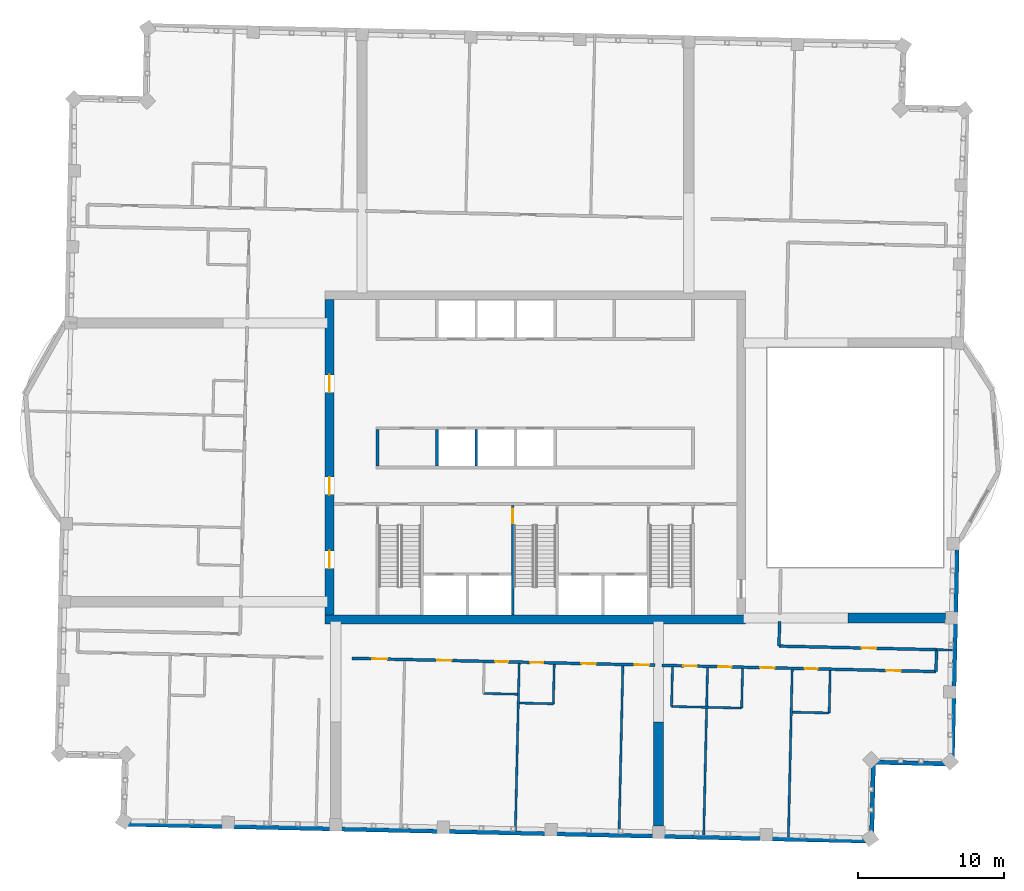
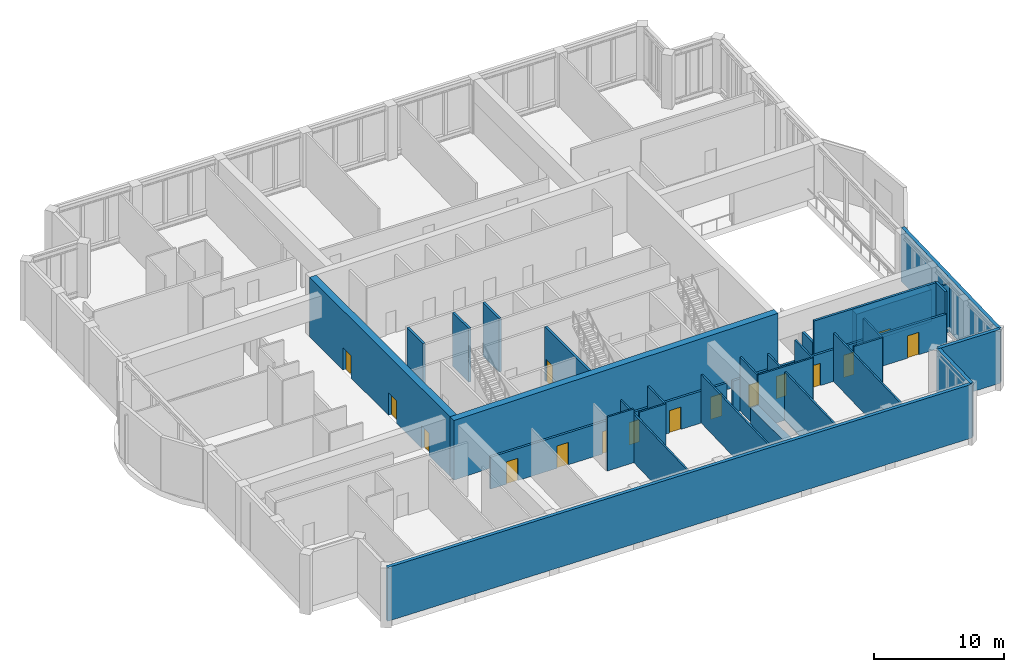
# One storey, part 10 of 16: 30 walls, 16 doors, 16 openings.
"""IFC4 building model written with IfcOpenShell, lengths in metres."""

from ifc_helpers import new_model, si_unit, direction, frame, frame_2d, origin, place, context, subcontext, project, spatial, rectangle, extrude, material, layer, layer_set, type_object, element, fill, save


model = new_model("IFC4")

# Units and contexts
model_context = context("Model", 3, precision=1e-05, world=origin(), true_north=direction((0.0, 1.0)))
body_context = subcontext(model_context, "Body", "Model", "MODEL_VIEW")
ifc_project = project(units=[si_unit("LENGTHUNIT", "METRE"), si_unit("AREAUNIT", "SQUARE_METRE"), si_unit("VOLUMEUNIT", "CUBIC_METRE"), si_unit("PLANEANGLEUNIT", "RADIAN"), si_unit("MASSUNIT", "GRAM", prefix="KILO")], contexts=[model_context])

# Site, building, storey
site_placement = place(None, origin())
site = spatial("IfcSite", under=ifc_project, at=site_placement, CompositionType="ELEMENT")
building_placement = place(site_placement, origin())
building = spatial("IfcBuilding", under=site, at=building_placement, Name="Mangrove Gate Tower", CompositionType="ELEMENT")
storey_placement = place(building_placement, frame((0.0, 0.0, 324.10009765625)))
storey = spatial("IfcBuildingStorey", under=building, at=storey_placement, Name="L83", CompositionType="ELEMENT", Elevation=324.10009765625)

# Walls
ifc_material_1 = material(Name="Concrete C32/40", Category="concrete")
ifc_layer_1 = layer(ifc_material_1, 0.199951171875)
ifc_layer_set_1 = layer_set([ifc_layer_1], Name="Core room wall 200 C32/40")
wall_type_1 = type_object("IfcWallType", Name="Core room wall 200 C32/40", PredefinedType="STANDARD", material=ifc_layer_set_1)
wall_1_placement = place(storey_placement, frame((-10.800048828125, -0.60009765625, 0.0), z_axis=(0.0, 0.0, 1.0), x_axis=(0.0, 1.0, 0.0)))
element("IfcWall", 1, at=wall_1_placement, inside=storey, type_object=wall_type_1, Name="WALL-L83-CORE-19", PredefinedType="STANDARD", context=body_context, shape_type="SweptSolid", body=[
    extrude(rectangle(XDim=2.5, YDim=0.199951171875, at=frame_2d((1.25, 0.0))), origin(), (0.0, 0.0, 1.0), 5.0498046875),
])
ifc_material_2 = material(Name="Concrete C50/60", Category="concrete")
ifc_layer_2 = layer(ifc_material_2, 0.199951171875)
ifc_layer_set_2 = layer_set([ifc_layer_2], Name="Core shaft wall 200 C50/60")
wall_type_2 = type_object("IfcWallType", Name="Core shaft wall 200 C50/60", PredefinedType="SHEAR", material=ifc_layer_set_2)
for number, where, z_axis, x_axis, name in (
    (2, (-6.75, -0.60009765625, 0.0), (0.0, 0.0, 1.0), (0.0, 1.0, 0.0), "WALL-L83-CORE-20"),
    (3, (-4.050048828125, -0.60009765625, 0.0), (0.0, 0.0, 1.0), (0.0, 1.0, 0.0), "WALL-L83-CORE-21"),
):
    element("IfcWall", number, at=place(storey_placement, frame(where, z_axis=z_axis, x_axis=x_axis)), inside=storey, type_object=wall_type_2, Name=name, PredefinedType="SHEAR", context=body_context, shape_type="SweptSolid", body=[
        extrude(rectangle(XDim=2.5, YDim=0.199951171875, at=frame_2d((1.25, 0.0))), origin(), (0.0, 0.0, 1.0), 5.0498046875),
    ])

# Wall, opening, door
ifc_material_3 = material(Name="Concrete C50/60", Category="concrete")
ifc_layer_3 = layer(ifc_material_3, 0.199951171875)
ifc_layer_set_3 = layer_set([ifc_layer_3], Name="Core stair wall 200 C50/60")
wall_type_3 = type_object("IfcWallType", Name="Core stair wall 200 C50/60", PredefinedType="SHEAR", material=ifc_layer_set_3)
wall_2_placement = place(storey_placement, frame((-1.550048828125, -10.800048828125, 0.0), z_axis=(0.0, 0.0, 1.0), x_axis=(0.0, 1.0, 0.0)))
wall_2 = element("IfcWall", 4, at=wall_2_placement, inside=storey, type_object=wall_type_3, Name="WALL-L83-CORE-11", PredefinedType="SHEAR", context=body_context, shape_type="SweptSolid", body=[
    extrude(rectangle(XDim=7.5, YDim=0.199951171875, at=frame_2d((3.75, 0.0))), origin(), (0.0, 0.0, 1.0), 5.0498046875),
])
opening_1_placement = place(wall_2_placement, frame((6.300048828125, 0.0, 0.0)))
opening_1 = element("IfcOpeningElement", 5, at=opening_1_placement, cuts=wall_2, Name="Opening STD10", PredefinedType="OPENING", context=body_context, shape_type="SweptSolid", body=[
    extrude(rectangle(XDim=1.0, YDim=2.10009765625, at=frame_2d((0.5, 1.050048828125))), frame((0.0, 0.10986328125, 0.0), z_axis=(0.0, -1.0, 0.0), x_axis=(1.0, 0.0, 0.0)), (0.0, 0.0, 1.0), 0.219970703125),
])
ifc_material_4 = material(Name="Fire-rated steel door set", Category="steel")
door_type_1 = type_object("IfcDoorType", Name="Stair door FD60 1000x2100", OperationType="SINGLE_SWING_RIGHT", PredefinedType="DOOR", material=ifc_material_4)
door_1_placement = place(opening_1_placement, origin())
door_1 = element("IfcDoor", 6, at=door_1_placement, inside=storey, type_object=door_type_1, Name="Stair door Stair 2 from service lobby", OperationType="SINGLE_SWING_RIGHT", OverallHeight=2.10009765625, OverallWidth=1.0, PredefinedType="DOOR", context=body_context, shape_type="SweptSolid", body=[
    extrude(rectangle(XDim=1.0, YDim=2.10009765625, at=frame_2d((0.5, 1.050048828125))), frame((0.0, 0.02490234375, 0.0), z_axis=(0.0, -1.0, 0.0), x_axis=(1.0, 0.0, 0.0)), (0.0, 0.0, 1.0), 0.050048828125),
])
fill(opening_1, door_1)

# Wall
ifc_material_5 = material(Name="Concrete C50/60", Category="concrete")
ifc_layer_4 = layer(ifc_material_5, 0.60009765625)
ifc_layer_set_4 = layer_set([ifc_layer_4], Name="Core wall 600 C50/60")
wall_type_4 = type_object("IfcWallType", Name="Core wall 600 C50/60", PredefinedType="SHEAR", material=ifc_layer_set_4)
wall_3_placement = place(storey_placement, frame((-14.39990234375, -11.10009765625, 0.0), z_axis=(0.0, 0.0, 1.0), x_axis=(1.0, 0.0, 0.0)))
element("IfcWall", 7, at=wall_3_placement, inside=storey, type_object=wall_type_4, Name="WALL-L83-CORE-1", PredefinedType="SHEAR", context=body_context, shape_type="SweptSolid", body=[
    extrude(rectangle(XDim=28.7998046875, YDim=0.60009765625, at=frame_2d((14.39990234375, 0.0))), origin(), (0.0, 0.0, 1.0), 5.599853515625),
])

# Wall, openings, doors
wall_4_placement = place(storey_placement, frame((-14.10009765625, -10.800048828125, 0.0), z_axis=(0.0, 0.0, 1.0), x_axis=(0.0, 1.0, 0.0)))
wall_4 = element("IfcWall", 8, at=wall_4_placement, inside=storey, type_object=wall_type_4, Name="WALL-L83-CORE-3", PredefinedType="SHEAR", context=body_context, shape_type="SweptSolid", body=[
    extrude(rectangle(XDim=21.60009765625, YDim=0.60009765625, at=frame_2d((10.800048828125, 0.0))), origin(), (0.0, 0.0, 1.0), 5.599853515625),
])
opening_2_placement = place(wall_4_placement, frame((8.25, 0.0, 0.0)))
opening_2 = element("IfcOpeningElement", 9, at=opening_2_placement, cuts=wall_4, Name="Opening CD", PredefinedType="OPENING", context=body_context, shape_type="SweptSolid", body=[
    extrude(rectangle(XDim=1.199951171875, YDim=2.10009765625, at=frame_2d((0.60009765625, 1.050048828125))), frame((0.0, 0.31005859375, 0.0), z_axis=(0.0, -1.0, 0.0), x_axis=(1.0, 0.0, 0.0)), (0.0, 0.0, 1.0), 0.6201171875),
])
opening_3_placement = place(wall_4_placement, frame((15.25, 0.0, 0.0)))
opening_3 = element("IfcOpeningElement", 10, at=opening_3_placement, cuts=wall_4, Name="Opening CD", PredefinedType="OPENING", context=body_context, shape_type="SweptSolid", body=[
    extrude(rectangle(XDim=1.199951171875, YDim=2.10009765625, at=frame_2d((0.60009765625, 1.050048828125))), frame((0.0, 0.31005859375, 0.0), z_axis=(0.0, -1.0, 0.0), x_axis=(1.0, 0.0, 0.0)), (0.0, 0.0, 1.0), 0.6201171875),
])
opening_4_placement = place(wall_4_placement, frame((3.199951171875, 0.0, 0.0)))
opening_4 = element("IfcOpeningElement", 11, at=opening_4_placement, cuts=wall_4, Name="Opening CD", PredefinedType="OPENING", context=body_context, shape_type="SweptSolid", body=[
    extrude(rectangle(XDim=1.199951171875, YDim=2.10009765625, at=frame_2d((0.60009765625, 1.050048828125))), frame((0.0, 0.31005859375, 0.0), z_axis=(0.0, -1.0, 0.0), x_axis=(1.0, 0.0, 0.0)), (0.0, 0.0, 1.0), 0.6201171875),
])
ifc_material_6 = material(Name="Fire-rated steel door set", Category="steel")
door_type_2 = type_object("IfcDoorType", Name="Core ring door FD60 1200x2100", OperationType="DOUBLE_DOOR_SINGLE_SWING", PredefinedType="DOOR", material=ifc_material_6)
door_2_placement = place(opening_2_placement, origin())
door_2 = element("IfcDoor", 12, at=door_2_placement, inside=storey, type_object=door_type_2, Name="Core ring door W1", OperationType="DOUBLE_DOOR_SINGLE_SWING", OverallHeight=2.10009765625, OverallWidth=1.199951171875, PredefinedType="DOOR", context=body_context, shape_type="SweptSolid", body=[
    extrude(rectangle(XDim=1.199951171875, YDim=2.10009765625, at=frame_2d((0.60009765625, 1.050048828125))), frame((0.0, 0.02490234375, 0.0), z_axis=(0.0, -1.0, 0.0), x_axis=(1.0, 0.0, 0.0)), (0.0, 0.0, 1.0), 0.050048828125),
])
fill(opening_2, door_2)
door_3_placement = place(opening_3_placement, origin())
door_3 = element("IfcDoor", 13, at=door_3_placement, inside=storey, type_object=door_type_2, Name="Core ring door W2", OperationType="DOUBLE_DOOR_SINGLE_SWING", OverallHeight=2.10009765625, OverallWidth=1.199951171875, PredefinedType="DOOR", context=body_context, shape_type="SweptSolid", body=[
    extrude(rectangle(XDim=1.199951171875, YDim=2.10009765625, at=frame_2d((0.60009765625, 1.050048828125))), frame((0.0, 0.02490234375, 0.0), z_axis=(0.0, -1.0, 0.0), x_axis=(1.0, 0.0, 0.0)), (0.0, 0.0, 1.0), 0.050048828125),
])
fill(opening_3, door_3)
door_4_placement = place(opening_4_placement, origin())
door_4 = element("IfcDoor", 14, at=door_4_placement, inside=storey, type_object=door_type_2, Name="Core ring door W3", OperationType="DOUBLE_DOOR_SINGLE_SWING", OverallHeight=2.10009765625, OverallWidth=1.199951171875, PredefinedType="DOOR", context=body_context, shape_type="SweptSolid", body=[
    extrude(rectangle(XDim=1.199951171875, YDim=2.10009765625, at=frame_2d((0.60009765625, 1.050048828125))), frame((0.0, 0.02490234375, 0.0), z_axis=(0.0, -1.0, 0.0), x_axis=(1.0, 0.0, 0.0)), (0.0, 0.0, 1.0), 0.050048828125),
])
fill(opening_4, door_4)

ifc_material_7 = material(Name="Gypsum board on steel stud, EI 60", Category="steel")
ifc_layer_5 = layer(ifc_material_7, 0.199951171875)
ifc_layer_set_5 = layer_set([ifc_layer_5], Name="Corridor wall EI 60")
wall_type_5 = type_object("IfcWallType", Name="Corridor wall EI 60", PredefinedType="PARTITIONING", material=ifc_layer_set_5)
wall_5_placement = place(storey_placement, frame((-12.555908203125, -13.7548828125, 0.0), z_axis=(0.0, 0.0, 1.0), x_axis=(0.999742248341, -0.022703235037, 0.0)))
wall_5 = element("IfcWall", 15, at=wall_5_placement, inside=storey, type_object=wall_type_5, Name="WALL-L83-022", PredefinedType="PARTITIONING", context=body_context, shape_type="SweptSolid", body=[
    extrude(rectangle(XDim=20.75439453125, YDim=0.199951171875, at=frame_2d((10.377197265625, 0.0))), origin(), (0.0, 0.0, 1.0), 3.0),
])
opening_5_placement = place(wall_5_placement, frame((1.404052734375, 0.0, 0.0)))
opening_5 = element("IfcOpeningElement", 16, at=opening_5_placement, cuts=wall_5, Name="Opening AD", PredefinedType="OPENING", context=body_context, shape_type="SweptSolid", body=[
    extrude(rectangle(XDim=1.0, YDim=2.10009765625, at=frame_2d((0.5, 1.050048828125))), frame((0.0, 0.10986328125, 0.0), z_axis=(0.0, -1.0, 0.0), x_axis=(1.0, 0.0, 0.0)), (0.0, 0.0, 1.0), 0.219970703125),
])
opening_6_placement = place(wall_5_placement, frame((5.8291015625, 0.0, 0.0)))
opening_6 = element("IfcOpeningElement", 17, at=opening_6_placement, cuts=wall_5, Name="Opening AD", PredefinedType="OPENING", context=body_context, shape_type="SweptSolid", body=[
    extrude(rectangle(XDim=1.0, YDim=2.10009765625, at=frame_2d((0.5, 1.050048828125))), frame((0.0, 0.10986328125, 0.0), z_axis=(0.0, -1.0, 0.0), x_axis=(1.0, 0.0, 0.0)), (0.0, 0.0, 1.0), 0.219970703125),
])
opening_7_placement = place(wall_5_placement, frame((9.803955078125, 0.0, 0.0)))
opening_7 = element("IfcOpeningElement", 18, at=opening_7_placement, cuts=wall_5, Name="Opening SD", PredefinedType="OPENING", context=body_context, shape_type="SweptSolid", body=[
    extrude(rectangle(XDim=0.89990234375, YDim=2.10009765625, at=frame_2d((0.449951171875, 1.050048828125))), frame((0.0, 0.10986328125, 0.0), z_axis=(0.0, -1.0, 0.0), x_axis=(1.0, 0.0, 0.0)), (0.0, 0.0, 1.0), 0.219970703125),
])
opening_8_placement = place(wall_5_placement, frame((15.7041015625, 0.0, 0.0)))
opening_8 = element("IfcOpeningElement", 19, at=opening_8_placement, cuts=wall_5, Name="Opening AD", PredefinedType="OPENING", context=body_context, shape_type="SweptSolid", body=[
    extrude(rectangle(XDim=1.0, YDim=2.10009765625, at=frame_2d((0.5, 1.050048828125))), frame((0.0, 0.10986328125, 0.0), z_axis=(0.0, -1.0, 0.0), x_axis=(1.0, 0.0, 0.0)), (0.0, 0.0, 1.0), 0.219970703125),
])
opening_9_placement = place(wall_5_placement, frame((12.2041015625, 0.0, 0.0)))
opening_9 = element("IfcOpeningElement", 20, at=opening_9_placement, cuts=wall_5, Name="Opening SD", PredefinedType="OPENING", context=body_context, shape_type="SweptSolid", body=[
    extrude(rectangle(XDim=0.89990234375, YDim=2.10009765625, at=frame_2d((0.449951171875, 1.050048828125))), frame((0.0, 0.10986328125, 0.0), z_axis=(0.0, -1.0, 0.0), x_axis=(1.0, 0.0, 0.0)), (0.0, 0.0, 1.0), 0.219970703125),
])
opening_10_placement = place(wall_5_placement, frame((19.35107421875, 0.0, 0.0)))
opening_10 = element("IfcOpeningElement", 21, at=opening_10_placement, cuts=wall_5, Name="Opening AD", PredefinedType="OPENING", context=body_context, shape_type="SweptSolid", body=[
    extrude(rectangle(XDim=1.0, YDim=2.10009765625, at=frame_2d((0.5, 1.050048828125))), frame((0.0, 0.10986328125, 0.0), z_axis=(0.0, -1.0, 0.0), x_axis=(1.0, 0.0, 0.0)), (0.0, 0.0, 1.0), 0.219970703125),
])
ifc_material_8 = material(Name="Timber door leaf", Category="wood")
door_type_3 = type_object("IfcDoorType", Name="Amenity door 1000", OperationType="SINGLE_SWING_LEFT", PredefinedType="DOOR", material=ifc_material_8)
door_5_placement = place(opening_5_placement, origin())
door_5 = element("IfcDoor", 22, at=door_5_placement, inside=storey, type_object=door_type_3, Name="DOOR-L83-KIT-c1a", OperationType="SINGLE_SWING_RIGHT", OverallHeight=2.10009765625, OverallWidth=1.0, PredefinedType="DOOR", context=body_context, shape_type="SweptSolid", body=[
    extrude(rectangle(XDim=1.0, YDim=2.10009765625, at=frame_2d((0.5, 1.050048828125))), frame((0.0, 0.02490234375, 0.0), z_axis=(0.0, -1.0, 0.0), x_axis=(1.0, 0.0, 0.0)), (0.0, 0.0, 1.0), 0.050048828125),
])
fill(opening_5, door_5)
door_6_placement = place(opening_6_placement, origin())
door_6 = element("IfcDoor", 23, at=door_6_placement, inside=storey, type_object=door_type_3, Name="DOOR-L83-LNG-c1a", OperationType="SINGLE_SWING_LEFT", OverallHeight=2.10009765625, OverallWidth=1.0, PredefinedType="DOOR", context=body_context, shape_type="SweptSolid", body=[
    extrude(rectangle(XDim=1.0, YDim=2.10009765625, at=frame_2d((0.5, 1.050048828125))), frame((0.0, 0.02490234375, 0.0), z_axis=(0.0, -1.0, 0.0), x_axis=(1.0, 0.0, 0.0)), (0.0, 0.0, 1.0), 0.050048828125),
])
fill(opening_6, door_6)
door_7_placement = place(opening_8_placement, origin())
door_7 = element("IfcDoor", 24, at=door_7_placement, inside=storey, type_object=door_type_3, Name="DOOR-L83-GAM-c2a", OperationType="SINGLE_SWING_RIGHT", OverallHeight=2.10009765625, OverallWidth=1.0, PredefinedType="DOOR", context=body_context, shape_type="SweptSolid", body=[
    extrude(rectangle(XDim=1.0, YDim=2.10009765625, at=frame_2d((0.5, 1.050048828125))), frame((0.0, 0.02490234375, 0.0), z_axis=(0.0, -1.0, 0.0), x_axis=(1.0, 0.0, 0.0)), (0.0, 0.0, 1.0), 0.050048828125),
])
fill(opening_8, door_7)
door_8_placement = place(opening_10_placement, origin())
door_8 = element("IfcDoor", 25, at=door_8_placement, inside=storey, type_object=door_type_3, Name="DOOR-L83-KIT-c2a", OperationType="SINGLE_SWING_LEFT", OverallHeight=2.10009765625, OverallWidth=1.0, PredefinedType="DOOR", context=body_context, shape_type="SweptSolid", body=[
    extrude(rectangle(XDim=1.0, YDim=2.10009765625, at=frame_2d((0.5, 1.050048828125))), frame((0.0, 0.02490234375, 0.0), z_axis=(0.0, -1.0, 0.0), x_axis=(1.0, 0.0, 0.0)), (0.0, 0.0, 1.0), 0.050048828125),
])
fill(opening_10, door_8)
ifc_material_9 = material(Name="Timber door leaf", Category="wood")
door_type_4 = type_object("IfcDoorType", Name="Service room door 900", OperationType="SINGLE_SWING_LEFT", PredefinedType="DOOR", material=ifc_material_9)
door_9_placement = place(opening_7_placement, origin())
door_9 = element("IfcDoor", 26, at=door_9_placement, inside=storey, type_object=door_type_4, Name="DOOR-L83-LIN-c1a", OperationType="SINGLE_SWING_RIGHT", OverallHeight=2.10009765625, OverallWidth=0.89990234375, PredefinedType="DOOR", context=body_context, shape_type="SweptSolid", body=[
    extrude(rectangle(XDim=0.89990234375, YDim=2.10009765625, at=frame_2d((0.449951171875, 1.050048828125))), frame((0.0, 0.02490234375, 0.0), z_axis=(0.0, -1.0, 0.0), x_axis=(1.0, 0.0, 0.0)), (0.0, 0.0, 1.0), 0.050048828125),
])
fill(opening_7, door_9)
door_10_placement = place(opening_9_placement, origin())
door_10 = element("IfcDoor", 27, at=door_10_placement, inside=storey, type_object=door_type_4, Name="DOOR-L83-WC-c2a", OperationType="SINGLE_SWING_LEFT", OverallHeight=2.10009765625, OverallWidth=0.89990234375, PredefinedType="DOOR", context=body_context, shape_type="SweptSolid", body=[
    extrude(rectangle(XDim=0.89990234375, YDim=2.10009765625, at=frame_2d((0.449951171875, 1.050048828125))), frame((0.0, 0.02490234375, 0.0), z_axis=(0.0, -1.0, 0.0), x_axis=(1.0, 0.0, 0.0)), (0.0, 0.0, 1.0), 0.050048828125),
])
fill(opening_9, door_10)

wall_6_placement = place(storey_placement, frame((8.68603515625, -14.237060546875, 0.0), z_axis=(0.0, 0.0, 1.0), x_axis=(0.999741996802, -0.022714308948, 0.0)))
wall_6 = element("IfcWall", 28, at=wall_6_placement, inside=storey, type_object=wall_type_5, Name="WALL-L83-023", PredefinedType="PARTITIONING", context=body_context, shape_type="SweptSolid", body=[
    extrude(rectangle(XDim=18.755859375, YDim=0.199951171875, at=frame_2d((9.3779296875, 0.0))), origin(), (0.0, 0.0, 1.0), 3.0),
])
opening_11_placement = place(wall_6_placement, frame((1.4560546875, 0.0, 0.0)))
opening_11 = element("IfcOpeningElement", 29, at=opening_11_placement, cuts=wall_6, Name="Opening SD", PredefinedType="OPENING", context=body_context, shape_type="SweptSolid", body=[
    extrude(rectangle(XDim=0.89990234375, YDim=2.10009765625, at=frame_2d((0.449951171875, 1.050048828125))), frame((0.0, 0.10986328125, 0.0), z_axis=(0.0, -1.0, 0.0), x_axis=(1.0, 0.0, 0.0)), (0.0, 0.0, 1.0), 0.219970703125),
])
opening_12_placement = place(wall_6_placement, frame((6.7060546875, 0.0, 0.0)))
opening_12 = element("IfcOpeningElement", 30, at=opening_12_placement, cuts=wall_6, Name="Opening AD", PredefinedType="OPENING", context=body_context, shape_type="SweptSolid", body=[
    extrude(rectangle(XDim=1.0, YDim=2.10009765625, at=frame_2d((0.5, 1.050048828125))), frame((0.0, 0.10986328125, 0.0), z_axis=(0.0, -1.0, 0.0), x_axis=(1.0, 0.0, 0.0)), (0.0, 0.0, 1.0), 0.219970703125),
])
opening_13_placement = place(wall_6_placement, frame((3.85595703125, 0.0, 0.0)))
opening_13 = element("IfcOpeningElement", 31, at=opening_13_placement, cuts=wall_6, Name="Opening SD", PredefinedType="OPENING", context=body_context, shape_type="SweptSolid", body=[
    extrude(rectangle(XDim=0.89990234375, YDim=2.10009765625, at=frame_2d((0.449951171875, 1.050048828125))), frame((0.0, 0.10986328125, 0.0), z_axis=(0.0, -1.0, 0.0), x_axis=(1.0, 0.0, 0.0)), (0.0, 0.0, 1.0), 0.219970703125),
])
opening_14_placement = place(wall_6_placement, frame((15.3310546875, 0.0, 0.0)))
opening_14 = element("IfcOpeningElement", 32, at=opening_14_placement, cuts=wall_6, Name="Opening AD", PredefinedType="OPENING", context=body_context, shape_type="SweptSolid", body=[
    extrude(rectangle(XDim=1.0, YDim=2.10009765625, at=frame_2d((0.5, 1.050048828125))), frame((0.0, 0.10986328125, 0.0), z_axis=(0.0, -1.0, 0.0), x_axis=(1.0, 0.0, 0.0)), (0.0, 0.0, 1.0), 0.219970703125),
])
opening_15_placement = place(wall_6_placement, frame((9.756103515625, 0.0, 0.0)))
opening_15 = element("IfcOpeningElement", 33, at=opening_15_placement, cuts=wall_6, Name="Opening SD", PredefinedType="OPENING", context=body_context, shape_type="SweptSolid", body=[
    extrude(rectangle(XDim=0.89990234375, YDim=2.10009765625, at=frame_2d((0.449951171875, 1.050048828125))), frame((0.0, 0.10986328125, 0.0), z_axis=(0.0, -1.0, 0.0), x_axis=(1.0, 0.0, 0.0)), (0.0, 0.0, 1.0), 0.219970703125),
])
door_11_placement = place(opening_12_placement, origin())
door_11 = element("IfcDoor", 34, at=door_11_placement, inside=storey, type_object=door_type_3, Name="DOOR-L83-KIT-c2b", OperationType="SINGLE_SWING_RIGHT", OverallHeight=2.10009765625, OverallWidth=1.0, PredefinedType="DOOR", context=body_context, shape_type="SweptSolid", body=[
    extrude(rectangle(XDim=1.0, YDim=2.10009765625, at=frame_2d((0.5, 1.050048828125))), frame((0.0, 0.02490234375, 0.0), z_axis=(0.0, -1.0, 0.0), x_axis=(1.0, 0.0, 0.0)), (0.0, 0.0, 1.0), 0.050048828125),
])
fill(opening_12, door_11)
door_12_placement = place(opening_14_placement, origin())
door_12 = element("IfcDoor", 35, at=door_12_placement, inside=storey, type_object=door_type_3, Name="DOOR-L83-KIT-c2c", OperationType="SINGLE_SWING_LEFT", OverallHeight=2.10009765625, OverallWidth=1.0, PredefinedType="DOOR", context=body_context, shape_type="SweptSolid", body=[
    extrude(rectangle(XDim=1.0, YDim=2.10009765625, at=frame_2d((0.5, 1.050048828125))), frame((0.0, 0.02490234375, 0.0), z_axis=(0.0, -1.0, 0.0), x_axis=(1.0, 0.0, 0.0)), (0.0, 0.0, 1.0), 0.050048828125),
])
fill(opening_14, door_12)
door_13_placement = place(opening_11_placement, origin())
door_13 = element("IfcDoor", 36, at=door_13_placement, inside=storey, type_object=door_type_4, Name="DOOR-L83-WC-c2b", OperationType="SINGLE_SWING_RIGHT", OverallHeight=2.10009765625, OverallWidth=0.89990234375, PredefinedType="DOOR", context=body_context, shape_type="SweptSolid", body=[
    extrude(rectangle(XDim=0.89990234375, YDim=2.10009765625, at=frame_2d((0.449951171875, 1.050048828125))), frame((0.0, 0.02490234375, 0.0), z_axis=(0.0, -1.0, 0.0), x_axis=(1.0, 0.0, 0.0)), (0.0, 0.0, 1.0), 0.050048828125),
])
fill(opening_11, door_13)
door_14_placement = place(opening_13_placement, origin())
door_14 = element("IfcDoor", 37, at=door_14_placement, inside=storey, type_object=door_type_4, Name="DOOR-L83-WC-c2c", OperationType="SINGLE_SWING_LEFT", OverallHeight=2.10009765625, OverallWidth=0.89990234375, PredefinedType="DOOR", context=body_context, shape_type="SweptSolid", body=[
    extrude(rectangle(XDim=0.89990234375, YDim=2.10009765625, at=frame_2d((0.449951171875, 1.050048828125))), frame((0.0, 0.02490234375, 0.0), z_axis=(0.0, -1.0, 0.0), x_axis=(1.0, 0.0, 0.0)), (0.0, 0.0, 1.0), 0.050048828125),
])
fill(opening_13, door_14)
door_15_placement = place(opening_15_placement, origin())
door_15 = element("IfcDoor", 38, at=door_15_placement, inside=storey, type_object=door_type_4, Name="DOOR-L83-AWC-c2a", OperationType="SINGLE_SWING_RIGHT", OverallHeight=2.10009765625, OverallWidth=0.89990234375, PredefinedType="DOOR", context=body_context, shape_type="SweptSolid", body=[
    extrude(rectangle(XDim=0.89990234375, YDim=2.10009765625, at=frame_2d((0.449951171875, 1.050048828125))), frame((0.0, 0.02490234375, 0.0), z_axis=(0.0, -1.0, 0.0), x_axis=(1.0, 0.0, 0.0)), (0.0, 0.0, 1.0), 0.050048828125),
])
fill(opening_15, door_15)

# Wall
wall_7_placement = place(storey_placement, frame((27.43701171875, -14.6630859375, 0.0), z_axis=(0.0, 0.0, 1.0), x_axis=(0.022617910375, 0.999744182344, 0.0)))
element("IfcWall", 39, at=wall_7_placement, inside=storey, type_object=wall_type_5, Name="WALL-L83-024", PredefinedType="PARTITIONING", context=body_context, shape_type="SweptSolid", body=[
    extrude(rectangle(XDim=1.50048828125, YDim=0.199951171875, at=frame_2d((0.750244140625, 0.0))), origin(), (0.0, 0.0, 1.0), 5.0498046875),
])

# Wall, opening, door
wall_8_placement = place(storey_placement, frame((16.678955078125, -12.91796875, 0.0), z_axis=(0.0, 0.0, 1.0), x_axis=(0.999742162372, -0.022707020428, 0.0)))
wall_8 = element("IfcWall", 40, at=wall_8_placement, inside=storey, type_object=wall_type_5, Name="WALL-L83-028", PredefinedType="PARTITIONING", context=body_context, shape_type="SweptSolid", body=[
    extrude(rectangle(XDim=10.794677734375, YDim=0.199951171875, at=frame_2d((5.3974609375, 0.0))), origin(), (0.0, 0.0, 1.0), 5.0498046875),
])
opening_16_placement = place(wall_8_placement, frame((5.673095703125, 0.0, 0.0)))
opening_16 = element("IfcOpeningElement", 41, at=opening_16_placement, cuts=wall_8, Name="Opening AD", PredefinedType="OPENING", context=body_context, shape_type="SweptSolid", body=[
    extrude(rectangle(XDim=1.0, YDim=2.10009765625, at=frame_2d((0.5, 1.050048828125))), frame((0.0, 0.10986328125, 0.0), z_axis=(0.0, -1.0, 0.0), x_axis=(1.0, 0.0, 0.0)), (0.0, 0.0, 1.0), 0.219970703125),
])
door_16_placement = place(opening_16_placement, origin())
door_16 = element("IfcDoor", 42, at=door_16_placement, inside=storey, type_object=door_type_3, Name="DOOR-L83-KIT-c3a", OperationType="SINGLE_SWING_RIGHT", OverallHeight=2.10009765625, OverallWidth=1.0, PredefinedType="DOOR", context=body_context, shape_type="SweptSolid", body=[
    extrude(rectangle(XDim=1.0, YDim=2.10009765625, at=frame_2d((0.5, 1.050048828125))), frame((0.0, 0.02490234375, 0.0), z_axis=(0.0, -1.0, 0.0), x_axis=(1.0, 0.0, 0.0)), (0.0, 0.0, 1.0), 0.050048828125),
])
fill(opening_16, door_16)

# Walls
wall_9_placement = place(storey_placement, frame((16.68408203125, -12.9189453125, 0.0), z_axis=(0.0, 0.0, 1.0), x_axis=(0.022425617902, 0.999748514208, 0.0)))
element("IfcWall", 43, at=wall_9_placement, inside=storey, type_object=wall_type_5, Name="WALL-L83-029", PredefinedType="PARTITIONING", context=body_context, shape_type="SweptSolid", body=[
    extrude(rectangle(XDim=1.6875, YDim=0.199951171875, at=frame_2d((0.84375, 0.0))), origin(), (0.0, 0.0, 1.0), 3.0),
])
ifc_material_10 = material(Name="Limestone", Category="masonry")
ifc_layer_6 = layer(ifc_material_10, 0.0400390625, Name="Limestone cladding")
ifc_material_11 = material(Name="Ventilated air gap")
ifc_layer_7 = layer(ifc_material_11, 0.0400390625, Name="Ventilated cavity")
ifc_material_12 = material(Name="Mineral wool insulation")
ifc_layer_8 = layer(ifc_material_12, 0.06005859375, Name="Insulation")
ifc_material_13 = material(Name="Breather membrane")
ifc_layer_9 = layer(ifc_material_13, 0.001953125, Name="Breather membrane")
ifc_material_14 = material(Name="Concrete C20/25 blockwork", Category="masonry")
ifc_layer_10 = layer(ifc_material_14, 0.14990234375, Name="Blockwork backing wall")
ifc_material_15 = material(Name="Gypsum plaster")
ifc_layer_11 = layer(ifc_material_15, 0.008056640625, Name="Internal plaster")
ifc_layer_set_6 = layer_set([ifc_layer_6, ifc_layer_7, ifc_layer_8, ifc_layer_9, ifc_layer_10, ifc_layer_11], Name="External wall 300 limestone cladding")
wall_type_6 = type_object("IfcWallType", Name="External wall 300 limestone cladding", PredefinedType="SOLIDWALL", material=ifc_layer_set_6)
wall_10_placement = place(storey_placement, frame((28.5439453125, -20.989990234375, 0.0), z_axis=(0.0, 0.0, 1.0), x_axis=(0.02271281838, 0.999742030667, 0.0)))
element("IfcWall", 44, at=wall_10_placement, inside=storey, type_object=wall_type_6, Name="WALL-L83-E0s1", PredefinedType="SOLIDWALL", context=body_context, shape_type="SweptSolid", body=[
    extrude(rectangle(XDim=15.5, YDim=0.300048828125, at=frame_2d((7.75, 0.0))), origin(), (0.0, 0.0, 1.0), 5.0498046875),
])
wall_11_placement = place(storey_placement, frame((-28.263916015625, -25.10205078125, 0.0), z_axis=(0.0, 0.0, 1.0), x_axis=(0.999742520573, -0.022691244094, 0.0)))
element("IfcWall", 45, at=wall_11_placement, inside=storey, type_object=wall_type_6, Name="WALL-L83-S13", PredefinedType="SOLIDWALL", context=body_context, shape_type="SweptSolid", body=[
    extrude(rectangle(XDim=51.300048828125, YDim=0.300048828125, at=frame_2d((25.64990234375, 0.0))), origin(), (0.0, 0.0, 1.0), 5.0498046875),
])
wall_12_placement = place(storey_placement, frame((23.02294921875, -26.26611328125, 0.0), z_axis=(0.0, 0.0, 1.0), x_axis=(0.022784045517, 0.999740409941, 0.0)))
element("IfcWall", 46, at=wall_12_placement, inside=storey, type_object=wall_type_6, Name="WALL-L83-E14", PredefinedType="SOLIDWALL", context=body_context, shape_type="SweptSolid", body=[
    extrude(rectangle(XDim=5.400634765625, YDim=0.300048828125, at=frame_2d((2.7001953125, 0.0))), origin(), (0.0, 0.0, 1.0), 5.0498046875),
])
wall_13_placement = place(storey_placement, frame((23.14599609375, -20.866943359375, 0.0), z_axis=(0.0, 0.0, 1.0), x_axis=(0.999740292565, -0.022789195272, 0.0)))
element("IfcWall", 47, at=wall_13_placement, inside=storey, type_object=wall_type_6, Name="WALL-L83-S15", PredefinedType="SOLIDWALL", context=body_context, shape_type="SweptSolid", body=[
    extrude(rectangle(XDim=5.3994140625, YDim=0.300048828125, at=frame_2d((2.69970703125, 0.0))), origin(), (0.0, 0.0, 1.0), 5.0498046875),
])
ifc_material_16 = material(Name="Concrete C50/60", Category="concrete")
ifc_layer_12 = layer(ifc_material_16, 0.699951171875)
ifc_layer_set_7 = layer_set([ifc_layer_12], Name="Outrigger wall 700 C50/60")
wall_type_7 = type_object("IfcWallType", Name="Outrigger wall 700 C50/60", PredefinedType="SHEAR", material=ifc_layer_set_7)
wall_14_placement = place(storey_placement, frame((8.439697265625, -18.10009765625, 0.0), z_axis=(0.0, 0.0, 1.0), x_axis=(0.0, -1.0, 0.0)))
element("IfcWall", 48, at=wall_14_placement, inside=storey, type_object=wall_type_7, Name="Outrigger wall L83 OR4 pier", PredefinedType="SHEAR", context=body_context, shape_type="SweptSolid", body=[
    extrude(rectangle(XDim=7.135009765625, YDim=0.699951171875, at=frame_2d((3.5673828125, 0.0))), origin(), (0.0, 0.0, 1.0), 3.0),
])
wall_15_placement = place(storey_placement, frame((21.39990234375, -10.986328125, 0.0), z_axis=(0.0, 0.0, 1.0), x_axis=(1.0, 0.0, 0.0)))
element("IfcWall", 49, at=wall_15_placement, inside=storey, type_object=wall_type_7, Name="Outrigger wall L83 OR5 pier", PredefinedType="SHEAR", context=body_context, shape_type="SweptSolid", body=[
    extrude(rectangle(XDim=6.671142578125, YDim=0.699951171875, at=frame_2d((3.33544921875, 0.0))), origin(), (0.0, 0.0, 1.0), 3.0),
])
ifc_material_17 = material(Name="Gypsum board on steel stud, EI 60", Category="steel")
ifc_layer_13 = layer(ifc_material_17, 0.14990234375)
ifc_layer_set_8 = layer_set([ifc_layer_13], Name="Party wall 150 EI 60")
wall_type_8 = type_object("IfcWallType", Name="Party wall 150 EI 60", PredefinedType="PARTITIONING", material=ifc_layer_set_8)
for number, where, z_axis, x_axis, name in (
    (50, (-1.366943359375, -25.56201171875, 0.0), (0.0, 0.0, 1.0), (0.022623082162, 0.999744065325, 0.0), "WALL-L83-005"),
    (51, (5.73095703125, -25.722900390625, 0.0), (0.0, 0.0, 1.0), (0.022708327922, 0.999742132674, 0.0), "WALL-L83-006"),
    (52, (11.529052734375, -25.85498046875, 0.0), (0.0, 0.0, 1.0), (0.022708327922, 0.999742132674, 0.0), "WALL-L83-007"),
):
    element("IfcWall", number, at=place(storey_placement, frame(where, z_axis=z_axis, x_axis=x_axis)), inside=storey, type_object=wall_type_8, Name=name, PredefinedType="PARTITIONING", context=body_context, shape_type="SweptSolid", body=[
        extrude(rectangle(XDim=11.449951171875, YDim=0.14990234375, at=frame_2d((5.72509765625, 0.0))), origin(), (0.0, 0.0, 1.0), 4.5498046875),
    ])
wall_16_placement = place(storey_placement, frame((17.327880859375, -25.987060546875, 0.0), z_axis=(0.0, 0.0, 1.0), x_axis=(0.022706391805, 0.999742176649, 0.0)))
element("IfcWall", 53, at=wall_16_placement, inside=storey, type_object=wall_type_8, Name="WALL-L83-008", PredefinedType="PARTITIONING", context=body_context, shape_type="SweptSolid", body=[
    extrude(rectangle(XDim=11.450927734375, YDim=0.14990234375, at=frame_2d((5.7255859375, 0.0))), origin(), (0.0, 0.0, 1.0), 4.5498046875),
])
wall_17_placement = place(storey_placement, frame((17.596923828125, -17.43994140625, 0.0), z_axis=(0.0, 0.0, 1.0), x_axis=(0.999735153469, -0.023013537724, 0.0)))
element("IfcWall", 54, at=wall_17_placement, inside=storey, type_object=wall_type_8, Name="WALL-L83-009", PredefinedType="PARTITIONING", context=body_context, shape_type="SweptSolid", body=[
    extrude(rectangle(XDim=2.52490234375, YDim=0.14990234375, at=frame_2d((1.262451171875, 0.0))), origin(), (0.0, 0.0, 1.0), 5.0498046875),
])
wall_18_placement = place(storey_placement, frame((20.12109375, -17.498046875, 0.0), z_axis=(0.0, 0.0, 1.0), x_axis=(0.022723317103, 0.999741792094, 0.0)))
element("IfcWall", 55, at=wall_18_placement, inside=storey, type_object=wall_type_8, Name="WALL-L83-010", PredefinedType="PARTITIONING", context=body_context, shape_type="SweptSolid", body=[
    extrude(rectangle(XDim=2.90087890625, YDim=0.14990234375, at=frame_2d((1.450439453125, 0.0))), origin(), (0.0, 0.0, 1.0), 5.0498046875),
])
wall_19_placement = place(storey_placement, frame((-1.093994140625, -16.81591796875, 0.0), z_axis=(0.0, 0.0, 1.0), x_axis=(0.999740478815, -0.022781023197, 0.0)))
element("IfcWall", 56, at=wall_19_placement, inside=storey, type_object=wall_type_8, Name="WALL-L83-013", PredefinedType="PARTITIONING", context=body_context, shape_type="SweptSolid", body=[
    extrude(rectangle(XDim=2.325439453125, YDim=0.14990234375, at=frame_2d((1.16259765625, 0.0))), origin(), (0.0, 0.0, 1.0), 5.0498046875),
])
wall_20_placement = place(storey_placement, frame((1.23095703125, -16.868896484375, 0.0), z_axis=(0.0, 0.0, 1.0), x_axis=(0.02260842146, 0.999744396973, 0.0)))
element("IfcWall", 57, at=wall_20_placement, inside=storey, type_object=wall_type_8, Name="WALL-L83-014", PredefinedType="PARTITIONING", context=body_context, shape_type="SweptSolid", body=[
    extrude(rectangle(XDim=2.69970703125, YDim=0.14990234375, at=frame_2d((1.349853515625, 0.0))), origin(), (0.0, 0.0, 1.0), 5.0498046875),
])
wall_21_placement = place(storey_placement, frame((9.327880859375, -17.052978515625, 0.0), z_axis=(0.0, 0.0, 1.0), x_axis=(0.99974154664, -0.022734113616, 0.0)))
element("IfcWall", 58, at=wall_21_placement, inside=storey, type_object=wall_type_8, Name="WALL-L83-015", PredefinedType="PARTITIONING", context=body_context, shape_type="SweptSolid", body=[
    extrude(rectangle(XDim=4.80029296875, YDim=0.14990234375, at=frame_2d((2.400146484375, 0.0))), origin(), (0.0, 0.0, 1.0), 5.0498046875),
])
wall_22_placement = place(storey_placement, frame((9.327880859375, -17.052978515625, 0.0), z_axis=(0.0, 0.0, 1.0), x_axis=(0.022961663075, 0.999736346258, 0.0)))
element("IfcWall", 59, at=wall_22_placement, inside=storey, type_object=wall_type_8, Name="WALL-L83-016", PredefinedType="PARTITIONING", context=body_context, shape_type="SweptSolid", body=[
    extrude(rectangle(XDim=2.70068359375, YDim=0.14990234375, at=frame_2d((1.350341796875, 0.0))), origin(), (0.0, 0.0, 1.0), 5.0498046875),
])
wall_23_placement = place(storey_placement, frame((14.126953125, -17.162109375, 0.0), z_axis=(0.0, 0.0, 1.0), x_axis=(0.02295958807, 0.999736393914, 0.0)))
element("IfcWall", 60, at=wall_23_placement, inside=storey, type_object=wall_type_8, Name="WALL-L83-017", PredefinedType="PARTITIONING", context=body_context, shape_type="SweptSolid", body=[
    extrude(rectangle(XDim=2.700927734375, YDim=0.14990234375, at=frame_2d((1.3505859375, 0.0))), origin(), (0.0, 0.0, 1.0), 5.0498046875),
])
wall_24_placement = place(storey_placement, frame((-3.554931640625, -16.159912109375, 0.0), z_axis=(0.0, 0.0, 1.0), x_axis=(0.999740478815, -0.022781023197, 0.0)))
element("IfcWall", 61, at=wall_24_placement, inside=storey, type_object=wall_type_8, Name="WALL-L83-018", PredefinedType="PARTITIONING", context=body_context, shape_type="SweptSolid", body=[
    extrude(rectangle(XDim=2.325439453125, YDim=0.14990234375, at=frame_2d((1.16259765625, 0.0))), origin(), (0.0, 0.0, 1.0), 5.0498046875),
])
wall_25_placement = place(storey_placement, frame((27.467041015625, -13.1630859375, 0.0), z_axis=(0.0, 0.0, 1.0), x_axis=(0.999745701647, -0.022550654924, 0.0)))
element("IfcWall", 62, at=wall_25_placement, inside=storey, type_object=wall_type_8, Name="WALL-L83-030", PredefinedType="PARTITIONING", context=body_context, shape_type="SweptSolid", body=[
    extrude(rectangle(XDim=1.104248046875, YDim=0.14990234375, at=frame_2d((0.55224609375, 0.0))), origin(), (0.0, 0.0, 1.0), 4.5498046875),
])

save(model, "model.ifc")
